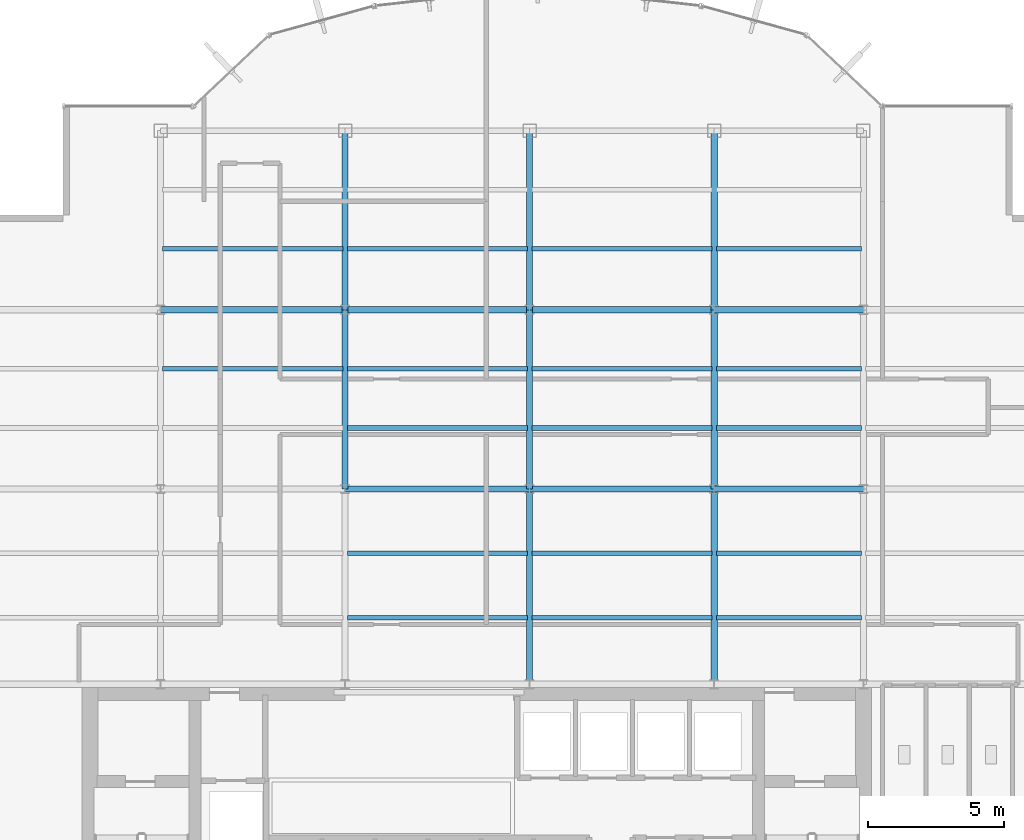
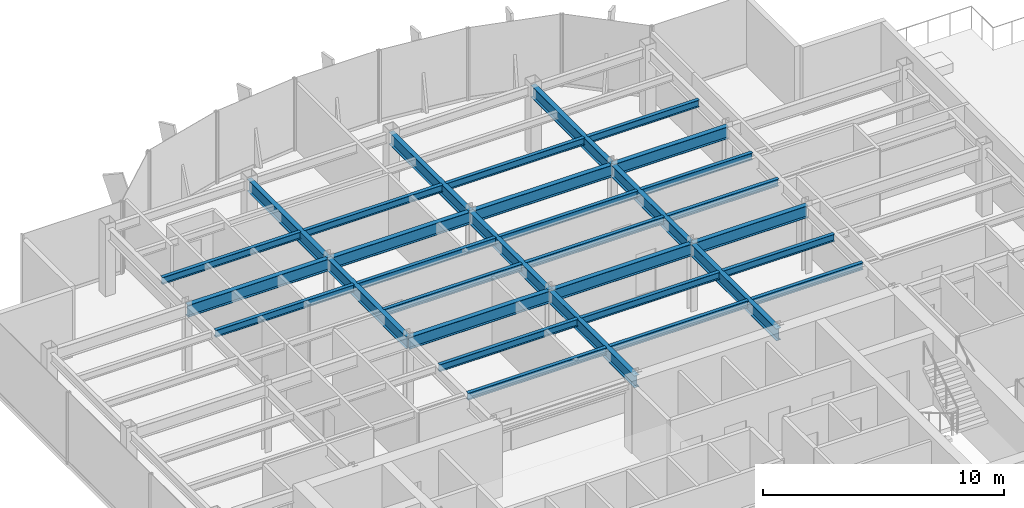
# One storey, part 8 of 21: 32 beams.
"""IFC4 building model written with IfcOpenShell, lengths in metres."""

import ifcopenshell
import ifcopenshell.guid

model = None  # the IFC model being written
_history = None  # IfcOwnerHistory: only IFC2X3 demands one
_inside = {}  # id of a spatial element -> (the spatial element, [elements in it])
_under = {}  # id of a project, library or spatial element -> (it, [spatial elements below it])
_declared = {}  # id of a project -> (the project, [libraries it declares])
_typed = {}  # id of a type object -> (the type object, [elements of that type])
_made_of = {}  # id of a material, layer set ... -> (it, [elements and type objects made of it])


def new_model(schema):
    """Start an empty IFC model of exactly this schema.

    Asked for "IFC4X3", IfcOpenShell would pick the latest addendum, in which some entities
    have other attributes; the version numbers below select the first issue.
    IFC2X3 requires an IfcOwnerHistory on every rooted entity: one is made here for all.
    """
    global model, _history
    if schema == "IFC4X3":
        model = ifcopenshell.file(schema_version=(4, 3, 0, 0))
    else:
        model = ifcopenshell.file(schema=schema)
    _inside.clear()
    _under.clear()
    _declared.clear()
    _typed.clear()
    _made_of.clear()
    _history = None
    if model.schema == "IFC2X3":
        org = make("IfcOrganization", Name="unknown")
        user = make(
            "IfcPersonAndOrganization",
            ThePerson=make("IfcPerson", FamilyName="unknown"),
            TheOrganization=org,
        )
        app = make(
            "IfcApplication",
            ApplicationDeveloper=org,
            Version="unknown",
            ApplicationFullName="unknown",
            ApplicationIdentifier="unknown",
        )
        _history = make(
            "IfcOwnerHistory",
            OwningUser=user,
            OwningApplication=app,
            ChangeAction="ADDED",
            CreationDate=0,
        )
    return model


def make(cls, **values):
    """One entity of the class cls with the attributes given. An attribute that is None is left unset."""
    return model.create_entity(
        cls, **{name: value for name, value in values.items() if value is not None}
    )


def rooted(cls, **values):
    """An entity with a GlobalId (a new one), such as an element, a storey or a relation."""
    return make(cls, GlobalId=ifcopenshell.guid.new(), OwnerHistory=_history, **values)


def si_unit(unit_type, name, prefix=None):
    """IfcSIUnit, for example si_unit("LENGTHUNIT", "METRE", prefix="MILLI")."""
    return make("IfcSIUnit", UnitType=unit_type, Prefix=prefix, Name=name)


def derived_unit(unit_type, elements):
    """IfcDerivedUnit: a product of units, each with its exponent."""
    return make(
        "IfcDerivedUnit",
        Elements=[
            make("IfcDerivedUnitElement", Unit=unit, Exponent=power)
            for unit, power in elements
        ],
        UnitType=unit_type,
    )


def assignment(units):
    """IfcUnitAssignment: the units of a project."""
    return None if units is None else make("IfcUnitAssignment", Units=units)


def point(xyz):
    """IfcCartesianPoint."""
    return None if xyz is None else make("IfcCartesianPoint", Coordinates=xyz)


def direction(xyz):
    """IfcDirection."""
    return None if xyz is None else make("IfcDirection", DirectionRatios=xyz)


def frame(location, z_axis=None, x_axis=None):
    """IfcAxis2Placement3D, a coordinate frame: its origin and axes. An axis left out is left unset."""
    return make(
        "IfcAxis2Placement3D",
        Location=point(location),
        Axis=direction(z_axis),
        RefDirection=direction(x_axis),
    )


def frame_2d(location, x_axis=None):
    """IfcAxis2Placement2D, a coordinate frame in the plane: its origin and x axis."""
    return make(
        "IfcAxis2Placement2D", Location=point(location), RefDirection=direction(x_axis)
    )


def origin():
    """The frame at (0, 0, 0) with its axes left unset."""
    return frame((0.0, 0.0, 0.0))


def origin_2d():
    """The frame at (0, 0) in the plane with its x axis left unset."""
    return frame_2d((0.0, 0.0))


def place(relative_to, where):
    """IfcLocalPlacement: puts the frame where relative to a parent placement (None: the world)."""
    return make(
        "IfcLocalPlacement", PlacementRelTo=relative_to, RelativePlacement=where
    )


def context(
    kind, dimensions, precision=None, world=None, true_north=None, identifier=None
):
    """IfcGeometricRepresentationContext, for example the 3D "Model" context."""
    return make(
        "IfcGeometricRepresentationContext",
        ContextIdentifier=identifier,
        ContextType=kind,
        CoordinateSpaceDimension=dimensions,
        Precision=precision,
        WorldCoordinateSystem=world,
        TrueNorth=true_north,
    )


def subcontext(parent, identifier, kind, view, scale=None):
    """IfcGeometricRepresentationSubContext, for example "Body" below "Model"."""
    return make(
        "IfcGeometricRepresentationSubContext",
        ContextIdentifier=identifier,
        ContextType=kind,
        ParentContext=parent,
        TargetScale=scale,
        TargetView=view,
    )


def project(units=None, contexts=None):
    """IfcProject with its units and contexts."""
    return rooted(
        "IfcProject",
        Name="project",
        RepresentationContexts=contexts,
        UnitsInContext=assignment(units),
    )


def spatial(cls, under=None, at=None, **own):
    """A site, building, storey or space (cls), placed at a placement, below another one or the project."""
    s = rooted(cls, ObjectPlacement=at, **own)
    if under is not None:
        _under.setdefault(under.id(), (under, []))[1].append(s)
    return s


def profile(cls, at=None, kind="AREA", **sizes):
    """A parametric profile (cls). Its sizes go by their IFC names, for example OverallWidth=200.0."""
    return make(cls, ProfileType=kind, Position=at, **sizes)


def i_section(**sizes):
    """IfcIShapeProfileDef."""
    return profile("IfcIShapeProfileDef", **sizes)


def extrude(swept, where, along, depth):
    """IfcExtrudedAreaSolid: the profile swept, set in the frame where, extruded along a direction by depth."""
    return make(
        "IfcExtrudedAreaSolid",
        SweptArea=swept,
        Position=where,
        ExtrudedDirection=direction(along),
        Depth=depth,
    )


def shape(context_of_items, identifier, shape_type, items):
    """IfcShapeRepresentation: the items that make up one representation, for example the "Body"."""
    return make(
        "IfcShapeRepresentation",
        ContextOfItems=context_of_items,
        RepresentationIdentifier=identifier,
        RepresentationType=shape_type,
        Items=items,
    )


def source(mapping_origin, context_of_items, identifier, shape_type, items):
    """IfcRepresentationMap: a shape defined once, which mapped items show again and again."""
    return make(
        "IfcRepresentationMap",
        MappingOrigin=mapping_origin,
        MappedRepresentation=shape(context_of_items, identifier, shape_type, items),
    )


def transform(
    local_origin,
    x_axis=None,
    y_axis=None,
    z_axis=None,
    scale=None,
    scale2=None,
    scale3=None,
    uniform=True,
):
    """IfcCartesianTransformationOperator3D, or its non-uniform kind. x_axis, y_axis, z_axis: its Axis1, 2, 3."""
    if uniform:
        return make(
            "IfcCartesianTransformationOperator3D",
            Axis1=direction(x_axis),
            Axis2=direction(y_axis),
            LocalOrigin=point(local_origin),
            Scale=scale,
            Axis3=direction(z_axis),
        )
    return make(
        "IfcCartesianTransformationOperator3DnonUniform",
        Axis1=direction(x_axis),
        Axis2=direction(y_axis),
        LocalOrigin=point(local_origin),
        Scale=scale,
        Axis3=direction(z_axis),
        Scale2=scale2,
        Scale3=scale3,
    )


def mapped(mapping_source, mapping_target):
    """IfcMappedItem: shows the shape of a source again, moved by a transform."""
    return make(
        "IfcMappedItem", MappingSource=mapping_source, MappingTarget=mapping_target
    )


def material(Name=None, Category=None):
    """IfcMaterial."""
    return make("IfcMaterial", Name=Name, Category=Category)


def material_profile(
    of_material, cross_section, Name=None, Category=None, Priority=None
):
    """IfcMaterialProfile: a cross section and its material."""
    return make(
        "IfcMaterialProfile",
        Name=Name,
        Material=of_material,
        Profile=cross_section,
        Priority=Priority,
        Category=Category,
    )


def profile_set(profiles, Name=None, composite=None):
    """IfcMaterialProfileSet."""
    return make(
        "IfcMaterialProfileSet",
        Name=Name,
        MaterialProfiles=profiles,
        CompositeProfile=composite,
    )


def made_of(thing, what):
    """Note that an element or type object is made of a material, layer set ...; save() writes the relation."""
    if what is not None:
        _made_of.setdefault(what.id(), (what, []))[1].append(thing)
    return thing


def type_object(cls, material=None, **own):
    """A type object (cls), such as IfcWallType, which elements share."""
    return made_of(rooted(cls, **own), material)


def element(
    cls,
    number,
    at=None,
    inside=None,
    cuts=None,
    type_object=None,
    material=None,
    context=None,
    identifier="Body",
    shape_type=None,
    held_by="IfcProductDefinitionShape",
    body=None,
    shapes=None,
    **own,
):
    """One element of the class cls, such as IfcWall. Its Tag is "e" and its number.

    at: its placement. inside: the storey or other place that contains it. cuts: it is an
    opening in that element (IfcRelVoidsElement). A single representation is given by context,
    identifier, shape_type and body (its items); several are given by shapes. held_by: the class
    of the entity that holds the representations. save() writes the other relations.
    """
    e = rooted(cls, Tag="e%d" % number, ObjectPlacement=at, **own)
    if body is not None:
        shapes = [shape(context, identifier, shape_type, body)]
    if shapes is not None:
        e.Representation = make(held_by, Representations=shapes)
    if inside is not None:
        _inside.setdefault(inside.id(), (inside, []))[1].append(e)
    if cuts is not None:
        rooted(
            "IfcRelVoidsElement", RelatingBuildingElement=cuts, RelatedOpeningElement=e
        )
    if type_object is not None:
        _typed.setdefault(type_object.id(), (type_object, []))[1].append(e)
    return made_of(e, material)


def aggregate(whole, parts):
    """IfcRelAggregates: a whole, such as a stair, and the parts it consists of."""
    return rooted("IfcRelAggregates", RelatingObject=whole, RelatedObjects=parts)


def save(model, path):
    """Write the relations noted so far, then the file.

    IfcRelAggregates (storeys below a building ...), IfcRelContainedInSpatialStructure (elements
    in a storey), IfcRelDefinesByType, IfcRelAssociatesMaterial and IfcRelDeclares: one each for
    every whole, place, type object, material and project.
    """
    for whole, parts in _under.values():
        aggregate(whole, parts)
    for where, things in _inside.values():
        rooted(
            "IfcRelContainedInSpatialStructure",
            RelatedElements=things,
            RelatingStructure=where,
        )
    for kind, things in _typed.values():
        rooted("IfcRelDefinesByType", RelatedObjects=things, RelatingType=kind)
    for what, things in _made_of.values():
        rooted("IfcRelAssociatesMaterial", RelatedObjects=things, RelatingMaterial=what)
    for by, libraries in _declared.values():
        rooted("IfcRelDeclares", RelatingContext=by, RelatedDefinitions=libraries)
    model.write(path)


model = new_model("IFC4")

# Units and contexts
model_context = context("Model", 3, precision=1e-05, world=origin(), true_north=direction((0.0, 1.0)))
body_context = subcontext(model_context, "Body", "Model", "MODEL_VIEW")
ifc_project = project(units=[si_unit("LENGTHUNIT", "METRE"), si_unit("AREAUNIT", "SQUARE_METRE"), si_unit("VOLUMEUNIT", "CUBIC_METRE"), si_unit("PLANEANGLEUNIT", "RADIAN"), si_unit("MASSUNIT", "GRAM", prefix="KILO"), derived_unit("THERMALTRANSMITTANCEUNIT", [(si_unit("POWERUNIT", "WATT"), 1), (si_unit("LENGTHUNIT", "METRE"), -2), (si_unit("THERMODYNAMICTEMPERATUREUNIT", "KELVIN"), -1)])], contexts=[model_context])

# Site, building, storey
site_placement = place(None, origin())
site = spatial("IfcSite", under=ifc_project, at=site_placement, CompositionType="ELEMENT")
building_placement = place(site_placement, origin())
building = spatial("IfcBuilding", under=site, at=building_placement, Name="Skarnbrae Concourse Arena and Tower", CompositionType="ELEMENT")
storey_placement = place(building_placement, frame((0.0, 0.0, 188.60009765625)))
storey = spatial("IfcBuildingStorey", under=building, at=storey_placement, Name="L48", CompositionType="ELEMENT", Elevation=188.60009765625)

# Beams
ifc_material = material(Name="Steel CSA G40.21 350W", Category="steel")
ifc_material_profile_1 = material_profile(ifc_material, i_section(OverallWidth=0.22802734375, OverallDepth=0.60791015625, WebThickness=0.01123046875, FlangeThickness=0.017333984375, at=origin_2d()), Name="W610X113")
ifc_profile_set_1 = profile_set([ifc_material_profile_1], Name="Steel CSA G40.21 350W")
beam_type_1 = type_object("IfcBeamType", Name="BM-GIRD-W610X113", PredefinedType="BEAM", material=ifc_profile_set_1)
shared_shape_1 = source(origin(), body_context, "Body", "SweptSolid", [
    extrude(i_section(OverallWidth=0.22802734375, OverallDepth=0.60791015625, WebThickness=0.01123046875, FlangeThickness=0.017333984375, at=origin_2d()), origin(), (0.0, 0.0, 1.0), 6.60009765625),
])
for number, where, z_axis, x_axis, name in (
    (1, (14.39990234375, 21.199951171875, 3.095947265625), (0.0, 1.0, 0.0), (-1.0, 0.0, 0.0), "L48 Primary N-S girder X14.4-2"),
    (2, (21.199951171875, 21.199951171875, 3.095947265625), (0.0, 1.0, 0.0), (-1.0, 0.0, 0.0), "L48 Primary N-S girder X21.2-2"),
    (3, (28.0, 21.199951171875, 3.095947265625), (0.0, 1.0, 0.0), (-1.0, 0.0, 0.0), "L48 Primary N-S girder X28.0-2"),
):
    element("IfcBeam", number, at=place(storey_placement, frame(where, z_axis=z_axis, x_axis=x_axis)), inside=storey, type_object=beam_type_1, Name=name, PredefinedType="BEAM", context=body_context, shape_type="MappedRepresentation", body=[
        mapped(shared_shape_1, transform((0.0, 0.0, 0.0))),
    ])
shared_shape_2 = source(origin(), body_context, "Body", "SweptSolid", [
    extrude(i_section(OverallWidth=0.22802734375, OverallDepth=0.60791015625, WebThickness=0.01123046875, FlangeThickness=0.017333984375, at=origin_2d()), origin(), (0.0, 0.0, 1.0), 6.7998046875),
])
beam_placement = place(storey_placement, frame((7.60009765625, 27.800048828125, 3.095947265625), z_axis=(1.0, 0.0, 0.0), x_axis=(0.0, 1.0, 0.0)))
element("IfcBeam", 4, at=beam_placement, inside=storey, type_object=beam_type_1, Name="L48 Primary E-W girder Y27.8-2", PredefinedType="BEAM", context=body_context, shape_type="MappedRepresentation", body=[
    mapped(shared_shape_2, transform((0.0, 0.0, 0.0))),
])
shared_shape_3 = source(origin(), body_context, "Body", "SweptSolid", [
    extrude(i_section(OverallWidth=0.22802734375, OverallDepth=0.60791015625, WebThickness=0.01123046875, FlangeThickness=0.017333984375, at=origin_2d()), origin(), (0.0, 0.0, 1.0), 6.800048828125),
])
for number, where, z_axis, x_axis, name in (
    (5, (14.39990234375, 21.199951171875, 3.095947265625), (1.0, 0.0, 0.0), (0.0, 1.0, 0.0), "L48 Primary E-W girder Y21.2-3"),
    (6, (21.199951171875, 21.199951171875, 3.095947265625), (1.0, 0.0, 0.0), (0.0, 1.0, 0.0), "L48 Primary E-W girder Y21.2-4"),
    (7, (14.39990234375, 27.800048828125, 3.095947265625), (1.0, 0.0, 0.0), (0.0, 1.0, 0.0), "L48 Primary E-W girder Y27.8-3"),
    (8, (21.199951171875, 27.800048828125, 3.095947265625), (1.0, 0.0, 0.0), (0.0, 1.0, 0.0), "L48 Primary E-W girder Y27.8-4"),
):
    element("IfcBeam", number, at=place(storey_placement, frame(where, z_axis=z_axis, x_axis=x_axis)), inside=storey, type_object=beam_type_1, Name=name, PredefinedType="BEAM", context=body_context, shape_type="MappedRepresentation", body=[
        mapped(shared_shape_3, transform((0.0, 0.0, 0.0))),
    ])
shared_shape_4 = source(origin(), body_context, "Body", "SweptSolid", [
    extrude(i_section(OverallWidth=0.22802734375, OverallDepth=0.60791015625, WebThickness=0.01123046875, FlangeThickness=0.017333984375, at=origin_2d()), origin(), (0.0, 0.0, 1.0), 5.5),
])
for number, where, z_axis, x_axis, name in (
    (9, (28.0, 21.199951171875, 3.095947265625), (1.0, 0.0, 0.0), (0.0, 1.0, 0.0), "L48 Primary E-W girder Y21.2-5"),
    (10, (28.0, 27.800048828125, 3.095947265625), (1.0, 0.0, 0.0), (0.0, 1.0, 0.0), "L48 Primary E-W girder Y27.8-5"),
):
    element("IfcBeam", number, at=place(storey_placement, frame(where, z_axis=z_axis, x_axis=x_axis)), inside=storey, type_object=beam_type_1, Name=name, PredefinedType="BEAM", context=body_context, shape_type="MappedRepresentation", body=[
        mapped(shared_shape_4, transform((0.0, 0.0, 0.0))),
    ])
shared_shape_5 = source(origin(), body_context, "Body", "SweptSolid", [
    extrude(i_section(OverallWidth=0.22802734375, OverallDepth=0.60791015625, WebThickness=0.01123046875, FlangeThickness=0.017333984375, at=origin_2d()), origin(), (0.0, 0.0, 1.0), 7.199951171875),
])
for number, where, z_axis, x_axis, name in (
    (11, (21.199951171875, 14.0, 3.095947265625), (0.0, 1.0, 0.0), (-1.0, 0.0, 0.0), "L48 Primary N-S girder X21.2-1"),
    (12, (28.0, 14.0, 3.095947265625), (0.0, 1.0, 0.0), (-1.0, 0.0, 0.0), "L48 Primary N-S girder X28.0-1"),
):
    element("IfcBeam", number, at=place(storey_placement, frame(where, z_axis=z_axis, x_axis=x_axis)), inside=storey, type_object=beam_type_1, Name=name, PredefinedType="BEAM", context=body_context, shape_type="MappedRepresentation", body=[
        mapped(shared_shape_5, transform((0.0, 0.0, 0.0))),
    ])
shared_shape_6 = source(origin(), body_context, "Body", "SweptSolid", [
    extrude(i_section(OverallWidth=0.22802734375, OverallDepth=0.60791015625, WebThickness=0.01123046875, FlangeThickness=0.017333984375, at=origin_2d()), origin(), (0.0, 0.0, 1.0), 6.599853515625),
])
for number, where, z_axis, x_axis, name in (
    (13, (14.39990234375, 27.800048828125, 3.095947265625), (0.0, 1.0, 0.0), (-1.0, 0.0, 0.0), "L48 Primary N-S girder X14.4-3"),
    (14, (21.199951171875, 27.800048828125, 3.095947265625), (0.0, 1.0, 0.0), (-1.0, 0.0, 0.0), "L48 Primary N-S girder X21.2-3"),
    (15, (28.0, 27.800048828125, 3.095947265625), (0.0, 1.0, 0.0), (-1.0, 0.0, 0.0), "L48 Primary N-S girder X28.0-3"),
):
    element("IfcBeam", number, at=place(storey_placement, frame(where, z_axis=z_axis, x_axis=x_axis)), inside=storey, type_object=beam_type_1, Name=name, PredefinedType="BEAM", context=body_context, shape_type="MappedRepresentation", body=[
        mapped(shared_shape_6, transform((0.0, 0.0, 0.0))),
    ])
ifc_material_profile_2 = material_profile(ifc_material, i_section(OverallWidth=0.1708984375, OverallDepth=0.35498046875, WebThickness=0.007080078125, FlangeThickness=0.01171875, at=origin_2d()), Name="W360X51")
ifc_profile_set_2 = profile_set([ifc_material_profile_2], Name="Steel CSA G40.21 350W")
beam_type_2 = type_object("IfcBeamType", Name="BM-JOIST-W360X51", PredefinedType="JOIST", material=ifc_profile_set_2)
shared_shape_7 = source(origin(), body_context, "Body", "SweptSolid", [
    extrude(i_section(OverallWidth=0.1708984375, OverallDepth=0.35498046875, WebThickness=0.007080078125, FlangeThickness=0.01171875, at=origin_2d()), origin(), (0.0, 0.0, 1.0), 6.64013671875),
])
for number, where, z_axis, x_axis, name in (
    (16, (14.47998046875, 16.447998046875, 3.222412109375), (1.0, 0.0, 0.0), (0.0, 1.0, 0.0), "L48 Secondary floor joist 1.1.3"),
    (17, (14.47998046875, 18.823974609375, 3.222412109375), (1.0, 0.0, 0.0), (0.0, 1.0, 0.0), "L48 Secondary floor joist 1.2.3"),
    (18, (14.47998046875, 23.444091796875, 3.222412109375), (1.0, 0.0, 0.0), (0.0, 1.0, 0.0), "L48 Secondary floor joist 2.1.3"),
    (19, (7.679931640625, 25.6220703125, 3.222412109375), (1.0, 0.0, 0.0), (0.0, 1.0, 0.0), "L48 Secondary floor joist 2.2.2"),
    (20, (14.47998046875, 25.6220703125, 3.222412109375), (1.0, 0.0, 0.0), (0.0, 1.0, 0.0), "L48 Secondary floor joist 2.2.3"),
    (21, (7.679931640625, 30.0439453125, 3.222412109375), (1.0, 0.0, 0.0), (0.0, 1.0, 0.0), "L48 Secondary floor joist 3.1.1"),
    (22, (14.47998046875, 30.0439453125, 3.222412109375), (1.0, 0.0, 0.0), (0.0, 1.0, 0.0), "L48 Secondary floor joist 3.1.2"),
):
    element("IfcBeam", number, at=place(storey_placement, frame(where, z_axis=z_axis, x_axis=x_axis)), inside=storey, type_object=beam_type_2, Name=name, PredefinedType="JOIST", context=body_context, shape_type="MappedRepresentation", body=[
        mapped(shared_shape_7, transform((0.0, 0.0, 0.0))),
    ])
shared_shape_8 = source(origin(), body_context, "Body", "SweptSolid", [
    extrude(i_section(OverallWidth=0.1708984375, OverallDepth=0.35498046875, WebThickness=0.007080078125, FlangeThickness=0.01171875, at=origin_2d()), origin(), (0.0, 0.0, 1.0), 6.639892578125),
])
for number, where, z_axis, x_axis, name in (
    (23, (21.280029296875, 16.447998046875, 3.222412109375), (1.0, 0.0, 0.0), (0.0, 1.0, 0.0), "L48 Secondary floor joist 1.1.4"),
    (24, (21.280029296875, 18.823974609375, 3.222412109375), (1.0, 0.0, 0.0), (0.0, 1.0, 0.0), "L48 Secondary floor joist 1.2.4"),
    (25, (21.280029296875, 23.444091796875, 3.222412109375), (1.0, 0.0, 0.0), (0.0, 1.0, 0.0), "L48 Secondary floor joist 2.1.4"),
    (26, (21.280029296875, 25.6220703125, 3.222412109375), (1.0, 0.0, 0.0), (0.0, 1.0, 0.0), "L48 Secondary floor joist 2.2.4"),
    (27, (21.280029296875, 30.0439453125, 3.222412109375), (1.0, 0.0, 0.0), (0.0, 1.0, 0.0), "L48 Secondary floor joist 3.1.3"),
):
    element("IfcBeam", number, at=place(storey_placement, frame(where, z_axis=z_axis, x_axis=x_axis)), inside=storey, type_object=beam_type_2, Name=name, PredefinedType="JOIST", context=body_context, shape_type="MappedRepresentation", body=[
        mapped(shared_shape_8, transform((0.0, 0.0, 0.0))),
    ])
shared_shape_9 = source(origin(), body_context, "Body", "SweptSolid", [
    extrude(i_section(OverallWidth=0.1708984375, OverallDepth=0.35498046875, WebThickness=0.007080078125, FlangeThickness=0.01171875, at=origin_2d()), origin(), (0.0, 0.0, 1.0), 5.33984375),
])
for number, where, z_axis, x_axis, name in (
    (28, (28.080078125, 16.447998046875, 3.222412109375), (1.0, 0.0, 0.0), (0.0, 1.0, 0.0), "L48 Secondary floor joist 1.1.5"),
    (29, (28.080078125, 18.823974609375, 3.222412109375), (1.0, 0.0, 0.0), (0.0, 1.0, 0.0), "L48 Secondary floor joist 1.2.5"),
    (30, (28.080078125, 23.444091796875, 3.222412109375), (1.0, 0.0, 0.0), (0.0, 1.0, 0.0), "L48 Secondary floor joist 2.1.5"),
    (31, (28.080078125, 25.6220703125, 3.222412109375), (1.0, 0.0, 0.0), (0.0, 1.0, 0.0), "L48 Secondary floor joist 2.2.5"),
    (32, (28.080078125, 30.0439453125, 3.222412109375), (1.0, 0.0, 0.0), (0.0, 1.0, 0.0), "L48 Secondary floor joist 3.1.4"),
):
    element("IfcBeam", number, at=place(storey_placement, frame(where, z_axis=z_axis, x_axis=x_axis)), inside=storey, type_object=beam_type_2, Name=name, PredefinedType="JOIST", context=body_context, shape_type="MappedRepresentation", body=[
        mapped(shared_shape_9, transform((0.0, 0.0, 0.0))),
    ])

save(model, "model.ifc")
